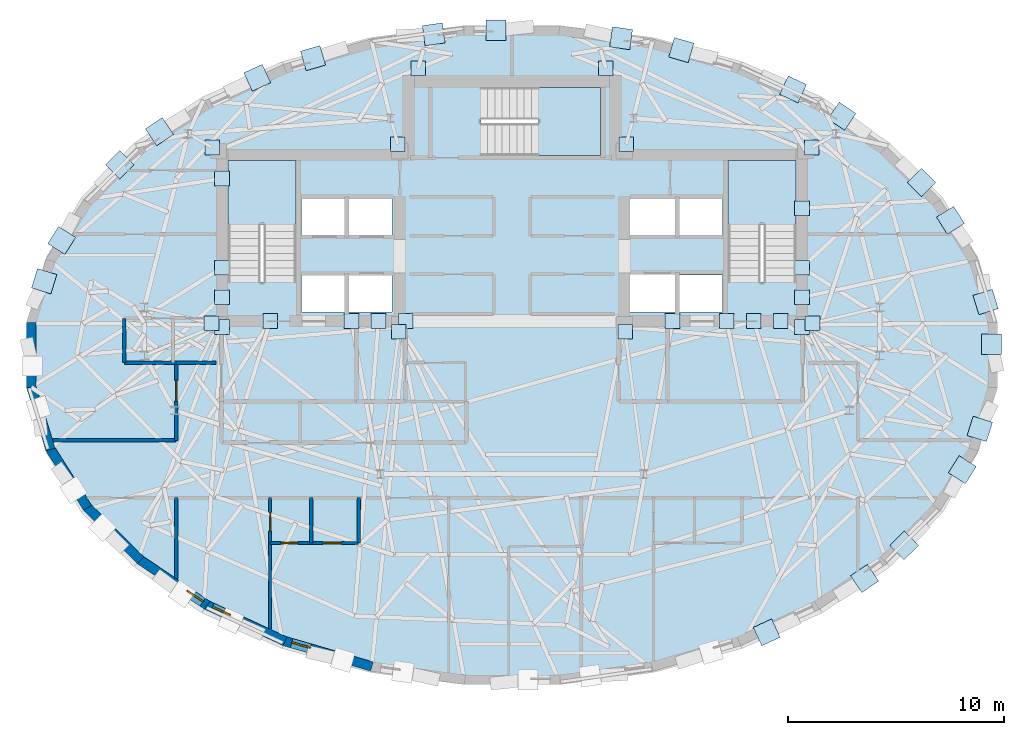
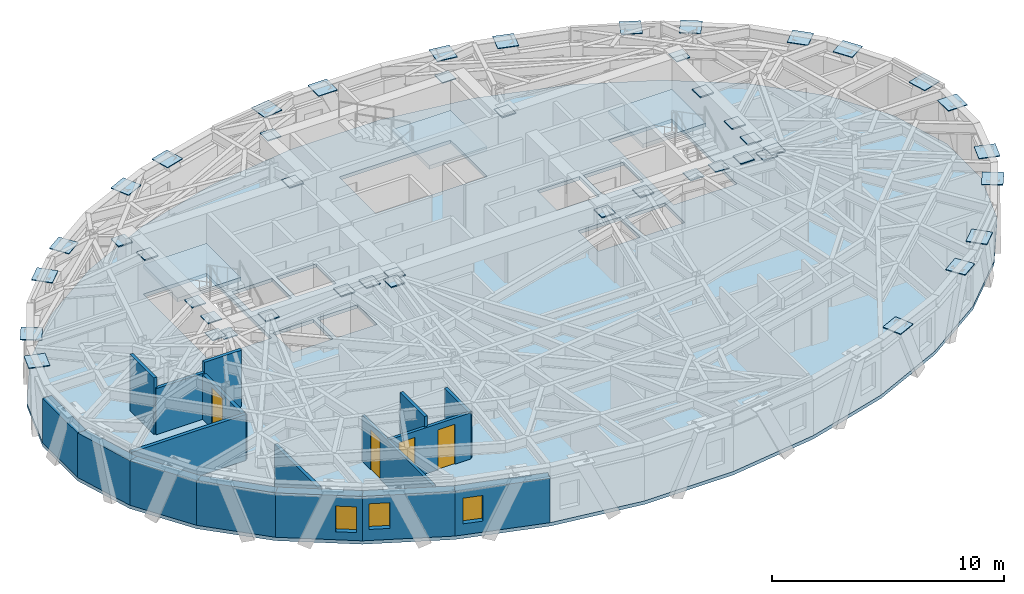
# One storey, part 5 of 12: 47 plates, 17 walls, 4 doors, 4 slabs, 3 windows, 7 openings, 3 elements without a shape of their own.
"""IFC4 building model written with IfcOpenShell, lengths in metres."""

from ifc_helpers import new_model, si_unit, direction, frame, frame_2d, origin, origin_2d, place, context, subcontext, project, spatial, polyline, rectangle, outline, extrude, material, layer, layer_set, type_object, element, fill, aggregate, save


model = new_model("IFC4")

# Units and contexts
model_context = context("Model", 3, precision=1e-05, world=origin(), true_north=direction((0.0, 1.0)))
body_context = subcontext(model_context, "Body", "Model", "MODEL_VIEW")
ifc_project = project(units=[si_unit("LENGTHUNIT", "METRE"), si_unit("AREAUNIT", "SQUARE_METRE"), si_unit("VOLUMEUNIT", "CUBIC_METRE"), si_unit("PLANEANGLEUNIT", "RADIAN"), si_unit("MASSUNIT", "GRAM", prefix="KILO")], contexts=[model_context])

# Site, building, storey
site_placement = place(None, origin())
site = spatial("IfcSite", under=ifc_project, at=site_placement, CompositionType="ELEMENT")
building_placement = place(site_placement, origin())
building = spatial("IfcBuilding", under=site, at=building_placement, Name="Keldmark Tower", CompositionType="ELEMENT")
storey_placement = place(building_placement, frame((0.0, 0.0, 228.89990234375)))
storey = spatial("IfcBuildingStorey", under=building, at=storey_placement, Name="L64", CompositionType="ELEMENT", Elevation=228.89990234375)

# Plates
ifc_material_1 = material(Name="Steel ASTM A572 Grade 50", Category="steel")
ifc_layer_1 = layer(ifc_material_1, 0.06005859375)
ifc_layer_set_1 = layer_set([ifc_layer_1], Name="Steel ASTM A572 Grade 50")
plate_type_1 = type_object("IfcPlateType", Name="Belt Truss Kink Node Assembly KN01 60 mm", PredefinedType="USERDEFINED", material=ifc_layer_set_1)
for number, where, z_axis, x_axis, name in (
    (1, (13.91162109375, 1.473388671875, 2.67822265625), (0.0, 0.0, 1.0), (1.0, 0.0, 0.0), "L64 Core Wall Cast-In Embed Plate 1870"),
    (2, (13.878173828125, 9.608154296875, 2.67822265625), (0.0, 0.0, 1.0), (1.0, 0.0, 0.0), "L64 Core Wall Cast-In Embed Plate 1871"),
    (3, (5.28515625, 9.758544921875, 2.67822265625), (0.0, 0.0, 1.0), (1.0, 0.0, 0.0), "L64 Core Wall Cast-In Embed Plate 1872"),
    (4, (-5.28515625, 9.758544921875, 2.67822265625), (0.0, 0.0, 1.0), (1.0, 0.0, 0.0), "L64 Core Wall Cast-In Embed Plate 1873"),
    (5, (-13.878173828125, 9.608154296875, 2.67822265625), (0.0, 0.0, 1.0), (1.0, 0.0, 0.0), "L64 Core Wall Cast-In Embed Plate 1874"),
    (6, (-13.91162109375, 1.473388671875, 2.67822265625), (0.0, 0.0, 1.0), (1.0, 0.0, 0.0), "L64 Core Wall Cast-In Embed Plate 1875"),
    (7, (-5.24072265625, 1.08251953125, 2.67822265625), (0.0, 0.0, 1.0), (1.0, 0.0, 0.0), "L64 Core Wall Cast-In Embed Plate 1876"),
    (8, (5.24072265625, 1.08251953125, 2.67822265625), (0.0, 0.0, 1.0), (1.0, 0.0, 0.0), "L64 Core Wall Cast-In Embed Plate 1877"),
    (9, (-11.19287109375, 1.574951171875, 2.67431640625), (0.0, 0.0, 1.0), (1.0, 0.0, 0.0), "L64 Core Wall Cast-In Embed Plate 1878"),
    (10, (-7.43212890625, 1.574951171875, 2.67431640625), (0.0, 0.0, 1.0), (1.0, 0.0, 0.0), "L64 Core Wall Cast-In Embed Plate 1879"),
    (11, (7.43212890625, 1.574951171875, 2.67431640625), (0.0, 0.0, 1.0), (1.0, 0.0, 0.0), "L64 Core Wall Cast-In Embed Plate 1880"),
    (12, (11.19287109375, 1.574951171875, 2.67431640625), (0.0, 0.0, 1.0), (1.0, 0.0, 0.0), "L64 Core Wall Cast-In Embed Plate 1881"),
    (13, (13.425048828125, 4.050048828125, 2.67431640625), (0.0, 0.0, 1.0), (1.0, 0.0, 0.0), "L64 Core Wall Cast-In Embed Plate 1882"),
    (14, (-6.1787109375, 1.574951171875, 2.67431640625), (0.0, 0.0, 1.0), (1.0, 0.0, 0.0), "L64 Core Wall Cast-In Embed Plate 1883"),
    (15, (9.939208984375, 1.574951171875, 2.67431640625), (0.0, 0.0, 1.0), (1.0, 0.0, 0.0), "L64 Core Wall Cast-In Embed Plate 1884"),
    (16, (13.425048828125, 2.675048828125, 2.67431640625), (0.0, 0.0, 1.0), (1.0, 0.0, 0.0), "L64 Core Wall Cast-In Embed Plate 1885"),
    (17, (13.425048828125, 6.800048828125, 2.67431640625), (0.0, 0.0, 1.0), (1.0, 0.0, 0.0), "L64 Core Wall Cast-In Embed Plate 1886"),
    (18, (-13.425048828125, 4.050048828125, 2.67431640625), (0.0, 0.0, 1.0), (1.0, 0.0, 0.0), "L64 Core Wall Cast-In Embed Plate 1887"),
    (19, (-13.425048828125, 2.675048828125, 2.67431640625), (0.0, 0.0, 1.0), (1.0, 0.0, 0.0), "L64 Core Wall Cast-In Embed Plate 1888"),
    (20, (-13.425048828125, 1.300048828125, 2.67431640625), (0.0, 0.0, 1.0), (1.0, 0.0, 0.0), "L64 Core Wall Cast-In Embed Plate 1889"),
    (21, (-4.925048828125, 1.574951171875, 2.67431640625), (0.0, 0.0, 1.0), (1.0, 0.0, 0.0), "L64 Core Wall Cast-In Embed Plate 1890"),
    (22, (13.425048828125, 1.300048828125, 2.67431640625), (0.0, 0.0, 1.0), (1.0, 0.0, 0.0), "L64 Core Wall Cast-In Embed Plate 1891"),
    (23, (12.4462890625, 1.574951171875, 2.67431640625), (0.0, 0.0, 1.0), (1.0, 0.0, 0.0), "L64 Core Wall Cast-In Embed Plate 1892"),
    (24, (4.3447265625, 13.27587890625, 2.67431640625), (0.0, 0.0, 1.0), (1.0, 0.0, 0.0), "L64 Core Wall Cast-In Embed Plate 1893"),
    (25, (-4.3447265625, 13.27587890625, 2.67431640625), (0.0, 0.0, 1.0), (1.0, 0.0, 0.0), "L64 Core Wall Cast-In Embed Plate 1894"),
    (26, (-13.425048828125, 8.175048828125, 2.67431640625), (0.0, 0.0, 1.0), (1.0, 0.0, 0.0), "L64 Core Wall Cast-In Embed Plate 1895"),
):
    element("IfcPlate", number, at=place(storey_placement, frame(where, z_axis=z_axis, x_axis=x_axis)), inside=storey, type_object=plate_type_1, Name=name, ObjectType="CAP PLATE", PredefinedType="USERDEFINED", context=body_context, shape_type="SweptSolid", body=[
        extrude(rectangle(XDim=0.679931640625, YDim=0.679931640625, at=origin_2d()), origin(), (0.0, 0.0, 1.0), 0.054931640625),
    ])
ifc_material_2 = material(Name="Steel ASTM A572 Grade 50", Category="steel")
ifc_layer_2 = layer(ifc_material_2, 0.0400390625)
ifc_layer_set_2 = layer_set([ifc_layer_2], Name="Steel ASTM A572 Grade 50")
plate_type_2 = type_object("IfcPlateType", Name="Diagrid Node Assembly DN05 40 mm", PredefinedType="USERDEFINED", material=ifc_layer_set_2)
for number, where, z_axis, x_axis, name in (
    (27, (21.9287109375, 2.455810546875, 2.830078125), (0.0, 0.0, 1.0), (-0.295041067928, 0.955484572474, 0.0), "L64 Diagrid Node Assembly 01"),
    (28, (20.3017578125, 6.241455078125, 2.830078125), (0.0, 0.0, 1.0), (-0.534942323205, 0.844888578952, 0.0), "L64 Diagrid Node Assembly 02"),
    (29, (18.958251953125, 7.98828125, 2.830078125), (0.0, 0.0, 1.0), (-0.709570736537, 0.704634209964, 0.0), "L64 Diagrid Node Assembly 03"),
    (30, (15.27587890625, 11.057861328125, 2.830078125), (0.0, 0.0, 1.0), (-0.827668733006, 0.561216953062, 0.0), "L64 Diagrid Node Assembly 04"),
    (31, (13.013916015625, 12.30029296875, 2.830078125), (0.0, 0.0, 1.0), (-0.907411091929, 0.420244107924, 0.0), "L64 Diagrid Node Assembly 05"),
    (32, (7.83935546875, 14.1220703125, 2.830078125), (0.0, 0.0, 1.0), (-0.960147474647, 0.279493876371, 0.0), "L64 Diagrid Node Assembly 06"),
    (33, (5.050537109375, 14.669921875, 2.830078125), (0.0, 0.0, 1.0), (-0.990072781208, 0.14055563991, 0.0), "L64 Diagrid Node Assembly 07"),
    (34, (-0.73681640625, 15.03515625, 2.830078125), (0.0, 0.0, 1.0), (-1.0, 0.0, 0.0), "L64 Diagrid Node Assembly 08"),
    (35, (-3.624267578125, 14.851318359375, 2.830078125), (0.0, 0.0, 1.0), (-0.990072781208, -0.14055563991, 0.0), "L64 Diagrid Node Assembly 09"),
    (36, (-9.212158203125, 13.748779296875, 2.830078125), (0.0, 0.0, 1.0), (-0.960147474647, -0.279493876371, 0.0), "L64 Diagrid Node Assembly 10"),
    (37, (-11.79345703125, 12.839111328125, 2.830078125), (0.0, 0.0, 1.0), (-0.907411091929, -0.420244107924, 0.0), "L64 Diagrid Node Assembly 11"),
    (38, (-16.324462890625, 10.34423828125, 2.830078125), (0.0, 0.0, 1.0), (-0.827668733006, -0.561216953062, 0.0), "L64 Diagrid Node Assembly 12"),
    (39, (-18.16064453125, 8.81298828125, 2.830078125), (0.0, 0.0, 1.0), (-0.709570736537, -0.704634209964, 0.0), "L64 Diagrid Node Assembly 13"),
    (40, (-20.849853515625, 5.306884765625, 2.830078125), (0.0, 0.0, 1.0), (-0.534942323205, -0.844888578952, 0.0), "L64 Diagrid Node Assembly 14"),
    (41, (-21.659912109375, 3.419189453125, 2.830078125), (0.0, 0.0, 1.0), (-0.295041067928, -0.955484572474, 0.0), "L64 Diagrid Node Assembly 15"),
    (42, (11.79345703125, -12.839111328125, 2.830078125), (0.0, 0.0, 1.0), (0.907411091929, 0.420244107924, 0.0), "L64 Diagrid Node Assembly 27"),
    (43, (16.324462890625, -10.34423828125, 2.830078125), (0.0, 0.0, 1.0), (0.827668733006, 0.561216953062, 0.0), "L64 Diagrid Node Assembly 28"),
    (44, (18.16064453125, -8.81298828125, 2.830078125), (0.0, 0.0, 1.0), (0.709570736537, 0.704634209964, 0.0), "L64 Diagrid Node Assembly 29"),
    (45, (20.849853515625, -5.306884765625, 2.830078125), (0.0, 0.0, 1.0), (0.534942323205, 0.844888578952, 0.0), "L64 Diagrid Node Assembly 30"),
    (46, (21.659912109375, -3.419189453125, 2.830078125), (0.0, 0.0, 1.0), (0.295041067928, 0.955484572474, 0.0), "L64 Diagrid Node Assembly 31"),
    (47, (22.19970703125, 0.50146484375, 2.830078125), (0.0, 0.0, 1.0), (0.0, 1.0, 0.0), "L64 Diagrid Node Assembly 32"),
):
    element("IfcPlate", number, at=place(storey_placement, frame(where, z_axis=z_axis, x_axis=x_axis)), inside=storey, type_object=plate_type_2, Name=name, ObjectType="GUSSET", PredefinedType="USERDEFINED", context=body_context, shape_type="SweptSolid", body=[
        extrude(rectangle(XDim=0.93994140625, YDim=0.93994140625, at=origin_2d()), origin(), (0.0, 0.0, 1.0), 0.0400390625),
    ])

# Slab
ifc_material_3 = material(Name="Concrete C35/45", Category="concrete")
ifc_layer_3 = layer(ifc_material_3, 0.179931640625)
ifc_layer_set_3 = layer_set([ifc_layer_3], Name="Concrete C35/45")
slab_type_1 = type_object("IfcSlabType", Name="Hotel and Residential Slab 180 mm", PredefinedType="FLOOR", material=ifc_layer_set_3)
slab_1_placement = place(storey_placement, frame((0.0, 0.0, -0.179931640625)))
element("IfcSlab", 48, at=slab_1_placement, inside=storey, type_object=slab_type_1, Name="L64 Composite Structural Floor Slab", PredefinedType="FLOOR", context=body_context, shape_type="SweptSolid", body=[
    extrude(outline(polyline([(22.484130859375, 1.501708984375), (21.577392578125, 4.438720703125), (19.835693359375, 7.190185546875), (17.351806640625, 9.656982421875), (14.240234375, 11.76708984375), (10.602294921875, 13.45166015625), (6.54541015625, 14.6328125), (2.214599609375, 15.247802734375), (-2.214599609375, 15.247802734375), (-6.54541015625, 14.6328125), (-10.602294921875, 13.45166015625), (-14.240234375, 11.76708984375), (-17.351806640625, 9.656982421875), (-19.835693359375, 7.190185546875), (-21.577392578125, 4.438720703125), (-22.484130859375, 1.501708984375), (-22.484130859375, -1.501708984375), (-21.577392578125, -4.438720703125), (-19.835693359375, -7.190185546875), (-17.351806640625, -9.656982421875), (-14.240234375, -11.76708984375), (-10.602294921875, -13.45166015625), (-6.54541015625, -14.6328125), (-2.214599609375, -15.247802734375), (2.214599609375, -15.247802734375), (6.54541015625, -14.6328125), (10.602294921875, -13.45166015625), (14.240234375, -11.76708984375), (17.351806640625, -9.656982421875), (19.835693359375, -7.190185546875), (21.577392578125, -4.438720703125), (22.484130859375, -1.501708984375), (22.484130859375, 1.501708984375)]), holes=[polyline([(-10.0, 3.385009765625), (-10.0, 9.0), (-13.14990234375, 9.0), (-13.14990234375, 3.385009765625), (-10.0, 3.385009765625)]), polyline([(13.14990234375, 3.385009765625), (13.14990234375, 9.0), (10.0, 9.0), (10.0, 3.385009765625), (13.14990234375, 3.385009765625)]), polyline([(-1.43994140625, 9.25), (4.10498046875, 9.25), (4.10498046875, 12.39990234375), (-1.43994140625, 12.39990234375), (-1.43994140625, 9.25)]), polyline([(-9.75, 2.0), (-7.75, 2.0), (-7.75, 3.699951171875), (-9.75, 3.699951171875), (-9.75, 2.0)]), polyline([(7.75, 2.0), (9.75, 2.0), (9.75, 3.699951171875), (7.75, 3.699951171875), (7.75, 2.0)]), polyline([(5.449951171875, 2.0), (7.550048828125, 2.0), (7.550048828125, 3.75), (5.449951171875, 3.75), (5.449951171875, 2.0)]), polyline([(-9.75, 5.550048828125), (-7.75, 5.550048828125), (-7.75, 7.25), (-9.75, 7.25), (-9.75, 5.550048828125)]), polyline([(-7.550048828125, 5.550048828125), (-5.550048828125, 5.550048828125), (-5.550048828125, 7.25), (-7.550048828125, 7.25), (-7.550048828125, 5.550048828125)]), polyline([(-7.550048828125, 2.0), (-5.550048828125, 2.0), (-5.550048828125, 3.699951171875), (-7.550048828125, 3.699951171875), (-7.550048828125, 2.0)]), polyline([(5.449951171875, 5.550048828125), (7.550048828125, 5.550048828125), (7.550048828125, 7.25), (5.449951171875, 7.25), (5.449951171875, 5.550048828125)]), polyline([(7.75, 5.550048828125), (9.75, 5.550048828125), (9.75, 7.25), (7.75, 7.25), (7.75, 5.550048828125)])]), origin(), (0.0, 0.0, 1.0), 0.179931640625),
])

# Stair, slab
ifc_material_4 = material(Name="Concrete C40/50", Category="concrete")
stair_type = type_object("IfcStairType", Name="Precast Concrete Core Exit Stair", PredefinedType="HALF_TURN_STAIR", material=ifc_material_4)
stair_1_placement = place(storey_placement, origin())
stair_1 = element("IfcStair", 49, at=stair_1_placement, inside=storey, type_object=stair_type, Name="L64 Exit Stair ST1", PredefinedType="HALF_TURN_STAIR")
ifc_material_5 = material(Name="Concrete C40/50", Category="concrete")
ifc_layer_4 = layer(ifc_material_5, 0.199951171875)
ifc_layer_set_4 = layer_set([ifc_layer_4], Name="Concrete C40/50")
slab_type_2 = type_object("IfcSlabType", Name="Reinforced Concrete Stair Landing 200 mm", PredefinedType="LANDING", material=ifc_layer_set_4)
slab_2_placement = place(storey_placement, frame((0.0, 0.0, 1.375)))
slab_2 = element("IfcSlab", 50, at=slab_2_placement, type_object=slab_type_2, Name="ST1 landing 1", PredefinedType="LANDING", context=body_context, shape_type="SweptSolid", body=[
    extrude(outline(polyline([(-10.0, 6.050048828125), (-10.0, 9.0), (-13.14990234375, 9.0), (-13.14990234375, 6.050048828125), (-10.0, 6.050048828125)])), origin(), (0.0, 0.0, 1.0), 0.2001953125),
])
aggregate(stair_1, [slab_2])

stair_2_placement = place(storey_placement, origin())
stair_2 = element("IfcStair", 51, at=stair_2_placement, inside=storey, type_object=stair_type, Name="L64 Exit Stair ST2", PredefinedType="HALF_TURN_STAIR")
slab_3_placement = place(storey_placement, frame((0.0, 0.0, 1.375)))
slab_3 = element("IfcSlab", 52, at=slab_3_placement, type_object=slab_type_2, Name="ST2 landing 1", PredefinedType="LANDING", context=body_context, shape_type="SweptSolid", body=[
    extrude(outline(polyline([(13.14990234375, 6.050048828125), (13.14990234375, 9.0), (10.0, 9.0), (10.0, 6.050048828125), (13.14990234375, 6.050048828125)])), origin(), (0.0, 0.0, 1.0), 0.2001953125),
])
aggregate(stair_2, [slab_3])

stair_3_placement = place(storey_placement, origin())
stair_3 = element("IfcStair", 53, at=stair_3_placement, inside=storey, type_object=stair_type, Name="L64 Exit Stair ST3", PredefinedType="HALF_TURN_STAIR")
slab_4_placement = place(storey_placement, frame((0.0, 0.0, 1.375)))
slab_4 = element("IfcSlab", 54, at=slab_4_placement, type_object=slab_type_2, Name="ST3 landing 1", PredefinedType="LANDING", context=body_context, shape_type="SweptSolid", body=[
    extrude(outline(polyline([(1.22509765625, 9.25), (4.10498046875, 9.25), (4.10498046875, 12.39990234375), (1.22509765625, 12.39990234375), (1.22509765625, 9.25)])), origin(), (0.0, 0.0, 1.0), 0.2001953125),
])
aggregate(stair_3, [slab_4])

# Wall, opening, door
ifc_material_6 = material(Name="Acoustic Gypsum Board Interior Partition", Category="gypsum")
ifc_layer_5 = layer(ifc_material_6, 0.1298828125)
ifc_layer_set_5 = layer_set([ifc_layer_5], Name="Acoustic Gypsum Board Interior Partition")
wall_type_1 = type_object("IfcWallType", Name="Interior Partition 130 mm", PredefinedType="PARTITIONING", material=ifc_layer_set_5)
wall_1_placement = place(storey_placement, frame((-11.199951171875, -12.681396484375, 0.0), z_axis=(0.0, 0.0, 1.0), x_axis=(0.0, 1.0, 0.0)))
wall_1 = element("IfcWall", 55, at=wall_1_placement, inside=storey, type_object=wall_type_1, Name="L64 Interior Partition 130 mm UA-BR1-E", PredefinedType="PARTITIONING", context=body_context, shape_type="SweptSolid", body=[
    extrude(rectangle(XDim=6.081298828125, YDim=0.1298828125, at=frame_2d((3.04052734375, 0.0))), origin(), (0.0, 0.0, 1.0), 2.423095703125),
])
opening_1_placement = place(wall_1_placement, frame((4.531494140625, 0.0, 0.0)))
opening_1 = element("IfcOpeningElement", 56, at=opening_1_placement, cuts=wall_1, Name="Opening D-BR085", PredefinedType="OPENING", context=body_context, shape_type="SweptSolid", body=[
    extrude(rectangle(XDim=0.85009765625, YDim=2.10009765625, at=frame_2d((0.425048828125, 1.050048828125))), frame((0.0, 0.074951171875, 0.0), z_axis=(0.0, -1.0, 0.0), x_axis=(1.0, 0.0, 0.0)), (0.0, 0.0, 1.0), 0.14990234375),
])
ifc_material_7 = material(Name="Solid-Core Stained Walnut Wood", Category="wood")
door_type_1 = type_object("IfcDoorType", Name="Bedroom Door 850x2100", OperationType="NOTDEFINED", PredefinedType="DOOR", material=ifc_material_7)
door_1_placement = place(opening_1_placement, origin())
door_1 = element("IfcDoor", 57, at=door_1_placement, inside=storey, type_object=door_type_1, Name="L64 Bedroom Door 850x2100 D-UA-BR1-L64", OperationType="SINGLE_SWING_RIGHT", OverallHeight=2.10009765625, OverallWidth=0.85009765625, PredefinedType="DOOR", context=body_context, shape_type="SweptSolid", body=[
    extrude(rectangle(XDim=0.85009765625, YDim=2.10009765625, at=frame_2d((0.425048828125, 1.050048828125))), frame((0.0, 0.02490234375, 0.0), z_axis=(0.0, -1.0, 0.0), x_axis=(1.0, 0.0, 0.0)), (0.0, 0.0, 1.0), 0.050048828125),
])
fill(opening_1, door_1)

# Wall
ifc_material_8 = material(Name="Type X Fire-Rated Gypsum Partition Assembly", Category="gypsum")
ifc_layer_6 = layer(ifc_material_8, 0.1650390625)
ifc_layer_set_6 = layer_set([ifc_layer_6], Name="Type X Fire-Rated Gypsum Partition Assembly")
wall_type_2 = type_object("IfcWallType", Name="Rated Partition 165 mm", PredefinedType="PARTITIONING", material=ifc_layer_set_6)
wall_2_placement = place(storey_placement, frame((-21.259521484375, -3.949951171875, 0.0), z_axis=(0.0, 0.0, 1.0), x_axis=(1.0, 0.0, 0.0)))
element("IfcWall", 58, at=wall_2_placement, inside=storey, type_object=wall_type_2, Name="L64 Rated Partition 165 mm RCOR-WN-OUT", PredefinedType="PARTITIONING", context=body_context, shape_type="SweptSolid", body=[
    extrude(rectangle(XDim=5.70947265625, YDim=0.1650390625, at=frame_2d((2.854736328125, 0.0))), origin(), (0.0, 0.0, 1.0), 2.423095703125),
])

# Wall, opening, door
wall_3_placement = place(storey_placement, frame((-15.550048828125, -3.949951171875, 0.0), z_axis=(0.0, 0.0, 1.0), x_axis=(0.0, 1.0, 0.0)))
wall_3 = element("IfcWall", 59, at=wall_3_placement, inside=storey, type_object=wall_type_2, Name="L64 Rated Partition 165 mm RCOR-VW", PredefinedType="PARTITIONING", context=body_context, shape_type="SweptSolid", body=[
    extrude(rectangle(XDim=3.599853515625, YDim=0.1650390625, at=frame_2d((1.7998046875, 0.0))), origin(), (0.0, 0.0, 1.0), 2.357177734375),
])
opening_2_placement = place(wall_3_placement, frame((1.830078125, 0.0, 0.0)))
opening_2 = element("IfcOpeningElement", 60, at=opening_2_placement, cuts=wall_3, Name="Opening D-AP095", PredefinedType="OPENING", context=body_context, shape_type="SweptSolid", body=[
    extrude(rectangle(XDim=0.949951171875, YDim=2.14990234375, at=frame_2d((0.47509765625, 1.074951171875))), frame((0.0, 0.092529296875, 0.0), z_axis=(0.0, -1.0, 0.0), x_axis=(1.0, 0.0, 0.0)), (0.0, 0.0, 1.0), 0.18505859375),
])
ifc_material_9 = material(Name="Solid-Core Walnut Fire-Rated Entry Assembly", Category="wood")
door_type_2 = type_object("IfcDoorType", Name="Apartment Entry Door 950x2150", OperationType="NOTDEFINED", PredefinedType="DOOR", material=ifc_material_9)
door_2_placement = place(opening_2_placement, origin())
door_2 = element("IfcDoor", 61, at=door_2_placement, inside=storey, type_object=door_type_2, Name="L64 Apartment Entry Door 950x2150 D-UC-ENT-L64", OperationType="SINGLE_SWING_RIGHT", OverallHeight=2.14990234375, OverallWidth=0.949951171875, PredefinedType="DOOR", context=body_context, shape_type="SweptSolid", body=[
    extrude(rectangle(XDim=0.949951171875, YDim=2.14990234375, at=frame_2d((0.47509765625, 1.074951171875))), frame((0.0, 0.02490234375, 0.0), z_axis=(0.0, -1.0, 0.0), x_axis=(1.0, 0.0, 0.0)), (0.0, 0.0, 1.0), 0.050048828125),
])
fill(opening_2, door_2)

# Walls
wall_4_placement = place(storey_placement, frame((-15.550048828125, -0.35009765625, 0.0), z_axis=(0.0, 0.0, 1.0), x_axis=(1.0, 0.0, 0.0)))
element("IfcWall", 62, at=wall_4_placement, inside=storey, type_object=wall_type_2, Name="L64 Rated Partition 165 mm RCOR-VWN", PredefinedType="PARTITIONING", context=body_context, shape_type="SweptSolid", body=[
    extrude(rectangle(XDim=1.85009765625, YDim=0.1650390625, at=frame_2d((0.925048828125, 0.0))), origin(), (0.0, 0.0, 1.0), 2.97021484375),
])
wall_5_placement = place(storey_placement, frame((-15.550048828125, -10.33740234375, 0.0), z_axis=(0.0, 0.0, 1.0), x_axis=(0.0, 1.0, 0.0)))
element("IfcWall", 63, at=wall_5_placement, inside=storey, type_object=wall_type_2, Name="L64 Rated Partition 165 mm RS-WCAP", PredefinedType="PARTITIONING", context=body_context, shape_type="SweptSolid", body=[
    extrude(rectangle(XDim=3.7373046875, YDim=0.1650390625, at=frame_2d((1.86865234375, 0.0))), origin(), (0.0, 0.0, 1.0), 2.423095703125),
])
ifc_material_10 = material(Name="Ironspot Manganese Brick and Kasota Buff Limestone Spandrel Assembly", Category="masonry")
ifc_layer_7 = layer(ifc_material_10, 0.43994140625)
ifc_layer_set_7 = layer_set([ifc_layer_7], Name="Ironspot Manganese Brick and Kasota Buff Limestone Spandrel Assembly")
wall_type_3 = type_object("IfcWallType", Name="Tower Brick Pier and Spandrel Wall 440 mm", PredefinedType="STANDARD", material=ifc_layer_set_7)
wall_6_placement = place(storey_placement, frame((-22.26416015625, -1.501708984375, 0.0), z_axis=(0.0, 0.0, 1.0), x_axis=(0.0, 1.0, 0.0)))
element("IfcWall", 64, at=wall_6_placement, inside=storey, type_object=wall_type_3, Name="L64 Exterior Brick and Spandrel Wall 16", PredefinedType="STANDARD", context=body_context, shape_type="SweptSolid", body=[
    extrude(rectangle(XDim=3.00341796875, YDim=0.43994140625, at=frame_2d((1.501708984375, 0.0))), origin(), (0.0, 0.0, 1.0), 2.336181640625),
])
wall_7_placement = place(storey_placement, frame((-21.3671875, -4.373779296875, 0.0), z_axis=(0.0, 0.0, 1.0), x_axis=(-0.295012279945, 0.95549346135, 0.0)))
element("IfcWall", 65, at=wall_7_placement, inside=storey, type_object=wall_type_3, Name="L64 Exterior Brick and Spandrel Wall 17", PredefinedType="STANDARD", context=body_context, shape_type="SweptSolid", body=[
    extrude(rectangle(XDim=3.073486328125, YDim=0.43994140625, at=frame_2d((1.53662109375, 0.0))), origin(), (0.0, 0.0, 1.0), 2.336181640625),
])
wall_8_placement = place(storey_placement, frame((-19.64990234375, -7.072509765625, 0.0), z_axis=(0.0, 0.0, 1.0), x_axis=(-0.53485586517, 0.844943313775, 0.0)))
element("IfcWall", 66, at=wall_8_placement, inside=storey, type_object=wall_type_3, Name="L64 Exterior Brick and Spandrel Wall 18", PredefinedType="STANDARD", context=body_context, shape_type="SweptSolid", body=[
    extrude(rectangle(XDim=3.25634765625, YDim=0.43994140625, at=frame_2d((1.628173828125, 0.0))), origin(), (0.0, 0.0, 1.0), 2.336181640625),
])
wall_9_placement = place(storey_placement, frame((-17.19677734375, -9.5009765625, 0.0), z_axis=(0.0, 0.0, 1.0), x_axis=(-0.709543258305, 0.704661879623, 0.0)))
element("IfcWall", 67, at=wall_9_placement, inside=storey, type_object=wall_type_3, Name="L64 Exterior Brick and Spandrel Wall 19", PredefinedType="STANDARD", context=body_context, shape_type="SweptSolid", body=[
    extrude(rectangle(XDim=3.5009765625, YDim=0.43994140625, at=frame_2d((1.75048828125, 0.0))), origin(), (0.0, 0.0, 1.0), 2.336181640625),
])

# Wall, opening, window
wall_10_placement = place(storey_placement, frame((-14.11669921875, -11.5849609375, 0.0), z_axis=(0.0, 0.0, 1.0), x_axis=(-0.827638454008, 0.561261605178, 0.0)))
wall_10 = element("IfcWall", 68, at=wall_10_placement, inside=storey, type_object=wall_type_3, Name="L64 Exterior Brick and Spandrel Wall 20", PredefinedType="STANDARD", context=body_context, shape_type="SweptSolid", body=[
    extrude(rectangle(XDim=3.759521484375, YDim=0.43994140625, at=frame_2d((1.8798828125, 0.0))), origin(), (0.0, 0.0, 1.0), 2.336181640625),
])
opening_3_placement = place(wall_10_placement, frame((0.249267578125, 0.0, 0.419921875)))
opening_3 = element("IfcOpeningElement", 69, at=opening_3_placement, cuts=wall_10, Name="Opening W-09", PredefinedType="OPENING", context=body_context, shape_type="SweptSolid", body=[
    extrude(rectangle(XDim=0.89990234375, YDim=1.35009765625, at=frame_2d((0.449951171875, 0.675048828125))), frame((0.0, 0.22998046875, 0.0), z_axis=(0.0, -1.0, 0.0), x_axis=(1.0, 0.0, 0.0)), (0.0, 0.0, 1.0), 0.4599609375),
])
ifc_material_11 = material(Name="Thermally Broken Anodized Aluminum and Triple Low-E Argon Glazing", Category="aluminium")
window_type = type_object("IfcWindowType", Name="Corner Pier Deep-Set Window 900x1350", PartitioningType="SINGLE_PANEL", PredefinedType="WINDOW", material=ifc_material_11)
window_1_placement = place(opening_3_placement, origin())
window_1 = element("IfcWindow", 70, at=window_1_placement, inside=storey, type_object=window_type, Name="L64 Deep-Set Window 20", OverallHeight=1.35009765625, OverallWidth=0.89990234375, PartitioningType="SINGLE_PANEL", PredefinedType="WINDOW", context=body_context, shape_type="SweptSolid", body=[
    extrude(rectangle(XDim=0.89990234375, YDim=1.35009765625, at=frame_2d((0.449951171875, 0.675048828125))), frame((0.0, -0.010009765625, 0.0), z_axis=(0.0, -1.0, 0.0), x_axis=(1.0, 0.0, 0.0)), (0.0, 0.0, 1.0), 0.06005859375),
])
fill(opening_3, window_1)

wall_11_placement = place(storey_placement, frame((-10.510009765625, -13.252197265625, 0.0), z_axis=(0.0, 0.0, 1.0), x_axis=(-0.907400682183, 0.420266584412, 0.0)))
wall_11 = element("IfcWall", 71, at=wall_11_placement, inside=storey, type_object=wall_type_3, Name="L64 Exterior Brick and Spandrel Wall 21", PredefinedType="STANDARD", context=body_context, shape_type="SweptSolid", body=[
    extrude(rectangle(XDim=4.009033203125, YDim=0.43994140625, at=frame_2d((2.00439453125, 0.0))), origin(), (0.0, 0.0, 1.0), 2.336181640625),
])
opening_4_placement = place(wall_11_placement, frame((2.810302734375, 0.0, 0.580078125)))
opening_4 = element("IfcOpeningElement", 72, at=opening_4_placement, cuts=wall_11, Name="Opening W-09", PredefinedType="OPENING", context=body_context, shape_type="SweptSolid", body=[
    extrude(rectangle(XDim=0.89990234375, YDim=1.35009765625, at=frame_2d((0.449951171875, 0.675048828125))), frame((0.0, 0.22998046875, 0.0), z_axis=(0.0, -1.0, 0.0), x_axis=(1.0, 0.0, 0.0)), (0.0, 0.0, 1.0), 0.4599609375),
])
window_2_placement = place(opening_4_placement, origin())
window_2 = element("IfcWindow", 73, at=window_2_placement, inside=storey, type_object=window_type, Name="L64 Deep-Set Window 21", OverallHeight=1.35009765625, OverallWidth=0.89990234375, PartitioningType="SINGLE_PANEL", PredefinedType="WINDOW", context=body_context, shape_type="SweptSolid", body=[
    extrude(rectangle(XDim=0.89990234375, YDim=1.35009765625, at=frame_2d((0.449951171875, 0.675048828125))), frame((0.0, -0.010009765625, 0.0), z_axis=(0.0, -1.0, 0.0), x_axis=(1.0, 0.0, 0.0)), (0.0, 0.0, 1.0), 0.06005859375),
])
fill(opening_4, window_2)

wall_12_placement = place(storey_placement, frame((-6.48388671875, -14.421630859375, 0.0), z_axis=(0.0, 0.0, 1.0), x_axis=(-0.960138362531, 0.279525177393, 0.0)))
wall_12 = element("IfcWall", 74, at=wall_12_placement, inside=storey, type_object=wall_type_3, Name="L64 Exterior Brick and Spandrel Wall 22", PredefinedType="STANDARD", context=body_context, shape_type="SweptSolid", body=[
    extrude(rectangle(XDim=4.2255859375, YDim=0.43994140625, at=frame_2d((2.11279296875, 0.0))), origin(), (0.0, 0.0, 1.0), 2.336181640625),
])
opening_5_placement = place(wall_12_placement, frame((2.9765625, 0.0, 0.580078125)))
opening_5 = element("IfcOpeningElement", 75, at=opening_5_placement, cuts=wall_12, Name="Opening W-09", PredefinedType="OPENING", context=body_context, shape_type="SweptSolid", body=[
    extrude(rectangle(XDim=0.89990234375, YDim=1.35009765625, at=frame_2d((0.449951171875, 0.675048828125))), frame((0.0, 0.22998046875, 0.0), z_axis=(0.0, -1.0, 0.0), x_axis=(1.0, 0.0, 0.0)), (0.0, 0.0, 1.0), 0.4599609375),
])
window_3_placement = place(opening_5_placement, origin())
window_3 = element("IfcWindow", 76, at=window_3_placement, inside=storey, type_object=window_type, Name="L64 Deep-Set Window 22", OverallHeight=1.35009765625, OverallWidth=0.89990234375, PartitioningType="SINGLE_PANEL", PredefinedType="WINDOW", context=body_context, shape_type="SweptSolid", body=[
    extrude(rectangle(XDim=0.89990234375, YDim=1.35009765625, at=frame_2d((0.449951171875, 0.675048828125))), frame((0.0, -0.010009765625, 0.0), z_axis=(0.0, -1.0, 0.0), x_axis=(1.0, 0.0, 0.0)), (0.0, 0.0, 1.0), 0.06005859375),
])
fill(opening_5, window_3)

# Wall, openings, doors
ifc_material_12 = material(Name="Moisture-Resistant Gypsum Plumbing Partition", Category="gypsum")
ifc_layer_8 = layer(ifc_material_12, 0.14990234375)
ifc_layer_set_8 = layer_set([ifc_layer_8], Name="Moisture-Resistant Gypsum Plumbing Partition")
wall_type_4 = type_object("IfcWallType", Name="Wet Wall 150 mm", PredefinedType="PLUMBINGWALL", material=ifc_layer_set_8)
wall_13_placement = place(storey_placement, frame((-11.199951171875, -8.699951171875, 0.0), z_axis=(0.0, 0.0, 1.0), x_axis=(1.0, 0.0, 0.0)))
wall_13 = element("IfcWall", 77, at=wall_13_placement, inside=storey, type_object=wall_type_4, Name="L64 Wet Wall 150 mm UA-BK-S", PredefinedType="PLUMBINGWALL", context=body_context, shape_type="SweptSolid", body=[
    extrude(rectangle(XDim=4.099853515625, YDim=0.14990234375, at=frame_2d((2.0498046875, 0.0))), origin(), (0.0, 0.0, 1.0), 2.423095703125),
])
opening_6_placement = place(wall_13_placement, frame((0.5, 0.0, 0.0)))
opening_6 = element("IfcOpeningElement", 78, at=opening_6_placement, cuts=wall_13, Name="Opening D-BT080", PredefinedType="OPENING", context=body_context, shape_type="SweptSolid", body=[
    extrude(rectangle(XDim=0.800048828125, YDim=2.10009765625, at=frame_2d((0.39990234375, 1.050048828125))), frame((0.0, 0.0849609375, 0.0), z_axis=(0.0, -1.0, 0.0), x_axis=(1.0, 0.0, 0.0)), (0.0, 0.0, 1.0), 0.169921875),
])
opening_7_placement = place(wall_13_placement, frame((2.449951171875, 0.0, 0.0)))
opening_7 = element("IfcOpeningElement", 79, at=opening_7_placement, cuts=wall_13, Name="Opening D-IN085", PredefinedType="OPENING", context=body_context, shape_type="SweptSolid", body=[
    extrude(rectangle(XDim=0.85009765625, YDim=2.10009765625, at=frame_2d((0.425048828125, 1.050048828125))), frame((0.0, 0.0849609375, 0.0), z_axis=(0.0, -1.0, 0.0), x_axis=(1.0, 0.0, 0.0)), (0.0, 0.0, 1.0), 0.169921875),
])
ifc_material_13 = material(Name="Moisture-Sealed Stained Wood", Category="wood")
door_type_3 = type_object("IfcDoorType", Name="Bathroom Door 800x2100", OperationType="NOTDEFINED", PredefinedType="DOOR", material=ifc_material_13)
door_3_placement = place(opening_6_placement, origin())
door_3 = element("IfcDoor", 80, at=door_3_placement, inside=storey, type_object=door_type_3, Name="L64 Bathroom Door 800x2100 D-UA-BATH-L64", OperationType="SINGLE_SWING_LEFT", OverallHeight=2.10009765625, OverallWidth=0.800048828125, PredefinedType="DOOR", context=body_context, shape_type="SweptSolid", body=[
    extrude(rectangle(XDim=0.800048828125, YDim=2.10009765625, at=frame_2d((0.39990234375, 1.050048828125))), frame((0.0, 0.02490234375, 0.0), z_axis=(0.0, -1.0, 0.0), x_axis=(1.0, 0.0, 0.0)), (0.0, 0.0, 1.0), 0.050048828125),
])
fill(opening_6, door_3)
ifc_material_14 = material(Name="Painted Architectural Wood", Category="wood")
door_type_4 = type_object("IfcDoorType", Name="Interior Door 850x2100", OperationType="NOTDEFINED", PredefinedType="DOOR", material=ifc_material_14)
door_4_placement = place(opening_7_placement, origin())
door_4 = element("IfcDoor", 81, at=door_4_placement, inside=storey, type_object=door_type_4, Name="L64 Interior Door 850x2100 D-UA-KIT-L64", OperationType="SINGLE_SWING_RIGHT", OverallHeight=2.10009765625, OverallWidth=0.85009765625, PredefinedType="DOOR", context=body_context, shape_type="SweptSolid", body=[
    extrude(rectangle(XDim=0.85009765625, YDim=2.10009765625, at=frame_2d((0.425048828125, 1.050048828125))), frame((0.0, 0.02490234375, 0.0), z_axis=(0.0, -1.0, 0.0), x_axis=(1.0, 0.0, 0.0)), (0.0, 0.0, 1.0), 0.050048828125),
])
fill(opening_7, door_4)

# Walls
wall_14_placement = place(storey_placement, frame((-9.300048828125, -8.699951171875, 0.0), z_axis=(0.0, 0.0, 1.0), x_axis=(0.0, 1.0, 0.0)))
element("IfcWall", 82, at=wall_14_placement, inside=storey, type_object=wall_type_4, Name="L64 Wet Wall 150 mm UA-BK-M", PredefinedType="PLUMBINGWALL", context=body_context, shape_type="SweptSolid", body=[
    extrude(rectangle(XDim=2.099853515625, YDim=0.14990234375, at=frame_2d((1.0498046875, 0.0))), origin(), (0.0, 0.0, 1.0), 2.97021484375),
])
wall_15_placement = place(storey_placement, frame((-7.10009765625, -8.699951171875, 0.0), z_axis=(0.0, 0.0, 1.0), x_axis=(0.0, 1.0, 0.0)))
element("IfcWall", 83, at=wall_15_placement, inside=storey, type_object=wall_type_4, Name="L64 Wet Wall 150 mm UA-BK-E", PredefinedType="PLUMBINGWALL", context=body_context, shape_type="SweptSolid", body=[
    extrude(rectangle(XDim=2.099853515625, YDim=0.14990234375, at=frame_2d((1.0498046875, 0.0))), origin(), (0.0, 0.0, 1.0), 2.423095703125),
])
wall_16_placement = place(storey_placement, frame((-17.949951171875, -0.35009765625, 0.0), z_axis=(0.0, 0.0, 1.0), x_axis=(1.0, 0.0, 0.0)))
element("IfcWall", 84, at=wall_16_placement, inside=storey, type_object=wall_type_4, Name="L64 Wet Wall 150 mm UC-BK-S", PredefinedType="PLUMBINGWALL", context=body_context, shape_type="SweptSolid", body=[
    extrude(rectangle(XDim=2.39990234375, YDim=0.14990234375, at=frame_2d((1.199951171875, 0.0))), origin(), (0.0, 0.0, 1.0), 2.423095703125),
])
wall_17_placement = place(storey_placement, frame((-17.949951171875, -0.35009765625, 0.0), z_axis=(0.0, 0.0, 1.0), x_axis=(0.0, 1.0, 0.0)))
element("IfcWall", 85, at=wall_17_placement, inside=storey, type_object=wall_type_4, Name="L64 Wet Wall 150 mm UC-BK-OUT", PredefinedType="PLUMBINGWALL", context=body_context, shape_type="SweptSolid", body=[
    extrude(rectangle(XDim=2.050048828125, YDim=0.14990234375, at=frame_2d((1.02490234375, 0.0))), origin(), (0.0, 0.0, 1.0), 2.97021484375),
])

save(model, "model.ifc")
